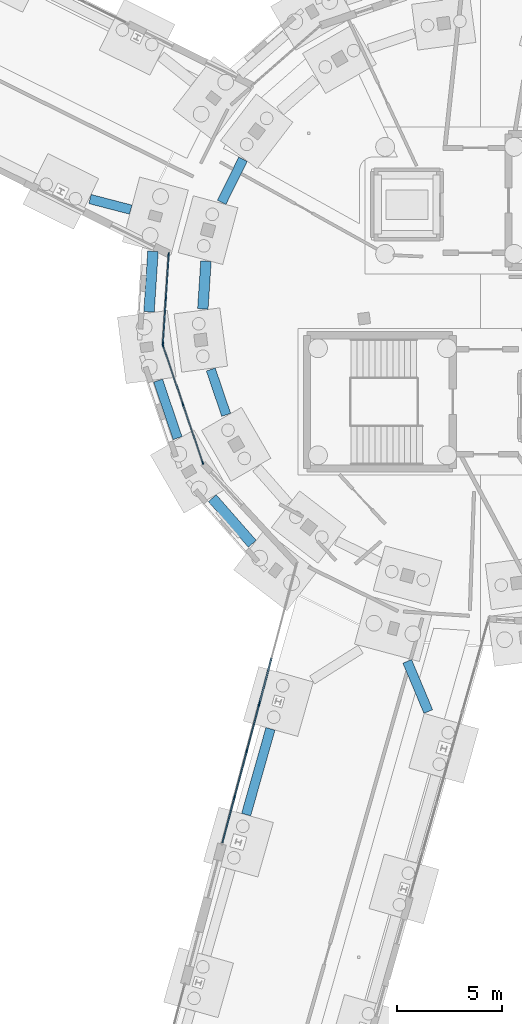
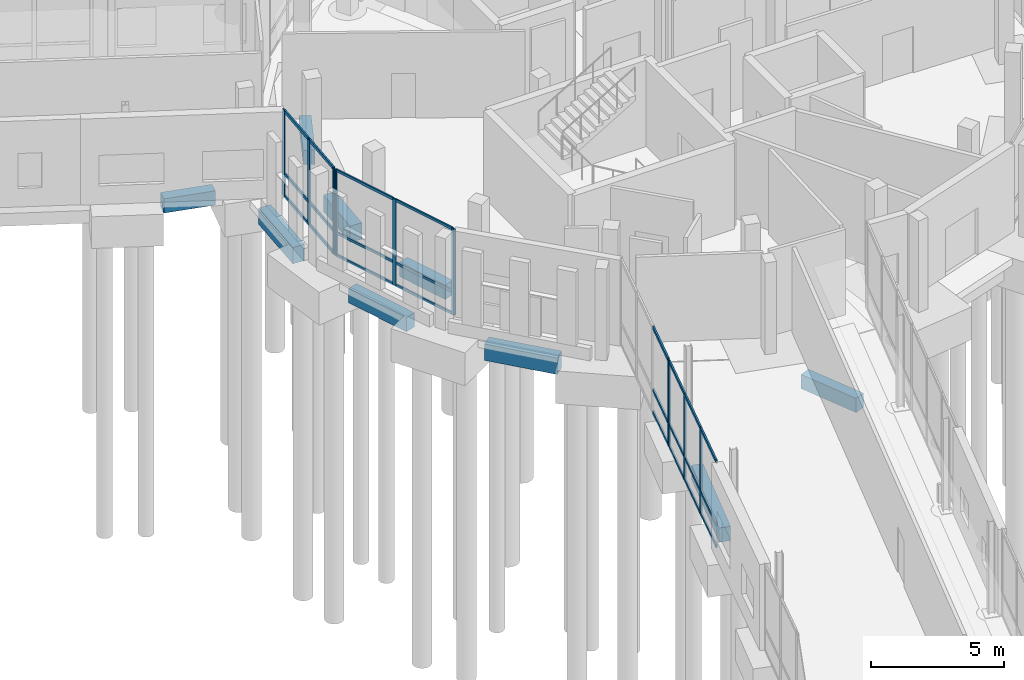
# One storey, part 57 of 113: 34 members, 9 beams, 4 elements without a shape of their own.
"""IFC4 building model written with IfcOpenShell, lengths in metres."""

from ifc_helpers import new_model, si_unit, direction, frame, origin, origin_2d, place, context, subcontext, project, spatial, rectangle, extrude, material, material_profile, profile_set, type_object, element, aggregate, save


model = new_model("IFC4")

# Units and contexts
model_context = context("Model", 3, precision=1e-05, world=origin(), true_north=direction((0.0, 1.0)))
body_context = subcontext(model_context, "Body", "Model", "MODEL_VIEW")
ifc_project = project(units=[si_unit("LENGTHUNIT", "METRE"), si_unit("AREAUNIT", "SQUARE_METRE"), si_unit("VOLUMEUNIT", "CUBIC_METRE"), si_unit("PLANEANGLEUNIT", "RADIAN"), si_unit("MASSUNIT", "GRAM", prefix="KILO")], contexts=[model_context])

# Site, building, storey
site_placement = place(None, origin())
site = spatial("IfcSite", under=ifc_project, at=site_placement, CompositionType="ELEMENT")
building_placement = place(site_placement, origin())
building = spatial("IfcBuilding", under=site, at=building_placement, Name="Wrenclough Park School", CompositionType="ELEMENT")
storey_placement = place(building_placement, origin())
storey = spatial("IfcBuildingStorey", under=building, at=storey_placement, Name="L00", CompositionType="ELEMENT", Elevation=0.0)

# Curtain wall, members
ifc_material_1 = material(Name="Thermally broken aluminium and low-e glass curtain wall", Category="aluminium")
curtain_wall_type_1 = type_object("IfcCurtainWallType", Name="ENV-CW-16", PredefinedType="USERDEFINED", material=ifc_material_1)
curtain_wall_1_placement = place(storey_placement, origin())
curtain_wall_1 = element("IfcCurtainWall", 1, at=curtain_wall_1_placement, inside=storey, type_object=curtain_wall_type_1, Name="L00 recessed curtain wall assembly 063", ObjectType="CURTAIN WALL", PredefinedType="USERDEFINED")
ifc_material_2 = material(Name="Thermally broken anodised aluminium", Category="aluminium")
ifc_material_profile_1 = material_profile(ifc_material_2, rectangle(XDim=0.06005859375, YDim=0.159912109375, at=origin_2d()), Name="AL MULLION 60x160")
ifc_profile_set_1 = profile_set([ifc_material_profile_1], Name="Thermally broken anodised aluminium")
member_type_1 = type_object("IfcMemberType", Name="ENV-CWM-1", PredefinedType="MULLION", material=ifc_profile_set_1)
member_1_placement = place(storey_placement, frame((161.258056640625, 85.893310546875, 0.0), z_axis=(0.0, 0.0, 1.0), x_axis=(-0.946933787668, -0.321428688473, 0.0)))
member_1 = element("IfcMember", 2, at=member_1_placement, type_object=member_type_1, Name="CW-16 mullion 1", PredefinedType="MULLION", context=body_context, shape_type="SweptSolid", body=[
    extrude(rectangle(XDim=0.06005859375, YDim=0.159912109375, at=origin_2d()), origin(), (0.0, 0.0, 1.0), 3.93994140625),
])
member_2_placement = place(storey_placement, frame((160.31103515625, 88.68359375, 0.0), z_axis=(0.0, 0.0, 1.0), x_axis=(-0.946933787668, -0.321428688473, 0.0)))
member_2 = element("IfcMember", 3, at=member_2_placement, type_object=member_type_1, Name="CW-16 mullion 2", PredefinedType="MULLION", context=body_context, shape_type="SweptSolid", body=[
    extrude(rectangle(XDim=0.06005859375, YDim=0.159912109375, at=origin_2d()), origin(), (0.0, 0.0, 1.0), 3.93994140625),
])
member_3_placement = place(storey_placement, frame((159.364013671875, 91.4736328125, 0.0), z_axis=(0.0, 0.0, 1.0), x_axis=(-0.946933787668, -0.321428688473, 0.0)))
member_3 = element("IfcMember", 4, at=member_3_placement, type_object=member_type_1, Name="CW-16 mullion 3", PredefinedType="MULLION", context=body_context, shape_type="SweptSolid", body=[
    extrude(rectangle(XDim=0.06005859375, YDim=0.159912109375, at=origin_2d()), origin(), (0.0, 0.0, 1.0), 3.93994140625),
])

curtain_wall_type_2 = type_object("IfcCurtainWallType", Name="ENV-CW-14", PredefinedType="USERDEFINED", material=ifc_material_1)
curtain_wall_2_placement = place(storey_placement, origin())
curtain_wall_2 = element("IfcCurtainWall", 5, at=curtain_wall_2_placement, inside=storey, type_object=curtain_wall_type_2, Name="L00 recessed curtain wall assembly 061", ObjectType="CURTAIN WALL", PredefinedType="USERDEFINED")
ifc_material_profile_2 = material_profile(ifc_material_2, rectangle(XDim=0.06494140625, YDim=0.179931640625, at=origin_2d()), Name="AL MULLION 65x180")
ifc_profile_set_2 = profile_set([ifc_material_profile_2], Name="Thermally broken anodised aluminium")
member_type_2 = type_object("IfcMemberType", Name="ENV-CWM-2", PredefinedType="MULLION", material=ifc_profile_set_2)
member_4_placement = place(storey_placement, frame((162.7685546875, 69.9462890625, 0.0), z_axis=(0.0, 0.0, 1.0), x_axis=(-0.966438093709, 0.256899612745, 0.0)))
member_4 = element("IfcMember", 6, at=member_4_placement, type_object=member_type_2, Name="CW-14 mullion 2", PredefinedType="MULLION", context=body_context, shape_type="SweptSolid", body=[
    extrude(rectangle(XDim=0.06494140625, YDim=0.179931640625, at=origin_2d()), origin(), (0.0, 0.0, 1.0), 3.93994140625),
])
member_5_placement = place(storey_placement, frame((163.35888671875, 72.1669921875, 0.0), z_axis=(0.0, 0.0, 1.0), x_axis=(-0.966438093709, 0.256899612745, 0.0)))
member_5 = element("IfcMember", 7, at=member_5_placement, type_object=member_type_2, Name="CW-14 mullion 3", PredefinedType="MULLION", context=body_context, shape_type="SweptSolid", body=[
    extrude(rectangle(XDim=0.06494140625, YDim=0.179931640625, at=origin_2d()), origin(), (0.0, 0.0, 1.0), 3.93994140625),
])
member_6_placement = place(storey_placement, frame((163.94091796875, 74.356201171875, 0.0), z_axis=(0.0, 0.0, 1.0), x_axis=(-0.966438093709, 0.256899612745, 0.0)))
member_6 = element("IfcMember", 8, at=member_6_placement, type_object=member_type_2, Name="CW-14 mullion 4", PredefinedType="MULLION", context=body_context, shape_type="SweptSolid", body=[
    extrude(rectangle(XDim=0.06494140625, YDim=0.179931640625, at=origin_2d()), origin(), (0.0, 0.0, 1.0), 3.93994140625),
])

curtain_wall_type_3 = type_object("IfcCurtainWallType", Name="ENV-CW-01", PredefinedType="USERDEFINED", material=ifc_material_1)
curtain_wall_3_placement = place(storey_placement, origin())
curtain_wall_3 = element("IfcCurtainWall", 9, at=curtain_wall_3_placement, inside=storey, type_object=curtain_wall_type_3, Name="L00 recessed curtain wall assembly 064", ObjectType="CURTAIN WALL", PredefinedType="USERDEFINED")
member_7_placement = place(storey_placement, frame((159.35546875, 91.542236328125, 0.0), z_axis=(0.0, 0.0, 1.0), x_axis=(-0.997860268625, 0.06538259936, 0.0)))
member_7 = element("IfcMember", 10, at=member_7_placement, type_object=member_type_2, Name="CW-01 mullion 1", PredefinedType="MULLION", context=body_context, shape_type="SweptSolid", body=[
    extrude(rectangle(XDim=0.06494140625, YDim=0.179931640625, at=origin_2d()), origin(), (0.0, 0.0, 1.0), 3.93994140625),
])
member_8_placement = place(storey_placement, frame((159.49560546875, 93.680908203125, 0.0), z_axis=(0.0, 0.0, 1.0), x_axis=(-0.997860268625, 0.06538259936, 0.0)))
member_8 = element("IfcMember", 11, at=member_8_placement, type_object=member_type_2, Name="CW-01 mullion 2", PredefinedType="MULLION", context=body_context, shape_type="SweptSolid", body=[
    extrude(rectangle(XDim=0.06494140625, YDim=0.179931640625, at=origin_2d()), origin(), (0.0, 0.0, 1.0), 3.93994140625),
])
member_9_placement = place(storey_placement, frame((159.6357421875, 95.819580078125, 0.0), z_axis=(0.0, 0.0, 1.0), x_axis=(-0.997860268625, 0.06538259936, 0.0)))
member_9 = element("IfcMember", 12, at=member_9_placement, type_object=member_type_2, Name="CW-01 mullion 3", PredefinedType="MULLION", context=body_context, shape_type="SweptSolid", body=[
    extrude(rectangle(XDim=0.06494140625, YDim=0.179931640625, at=origin_2d()), origin(), (0.0, 0.0, 1.0), 3.93994140625),
])

# Curtain wall, member
curtain_wall_type_4 = type_object("IfcCurtainWallType", Name="ENV-CW-15", PredefinedType="USERDEFINED", material=ifc_material_1)
curtain_wall_4_placement = place(storey_placement, origin())
curtain_wall_4 = element("IfcCurtainWall", 13, at=curtain_wall_4_placement, inside=storey, type_object=curtain_wall_type_4, Name="L00 recessed curtain wall assembly 062", ObjectType="CURTAIN WALL", PredefinedType="USERDEFINED")
ifc_material_profile_3 = material_profile(ifc_material_2, rectangle(XDim=0.070068359375, YDim=0.199951171875, at=origin_2d()), Name="AL MULLION 70x200")
ifc_profile_set_3 = profile_set([ifc_material_profile_3], Name="Thermally broken anodised aluminium")
member_type_3 = type_object("IfcMemberType", Name="ENV-CWM-3", PredefinedType="MULLION", material=ifc_profile_set_3)
member_10_placement = place(storey_placement, frame((163.960205078125, 74.42919921875, 0.0), z_axis=(0.0, 0.0, 1.0), x_axis=(-0.966439051093, 0.256896011105, 0.0)))
member_10 = element("IfcMember", 14, at=member_10_placement, type_object=member_type_3, Name="CW-15 mullion 1", PredefinedType="MULLION", context=body_context, shape_type="SweptSolid", body=[
    extrude(rectangle(XDim=0.070068359375, YDim=0.199951171875, at=origin_2d()), origin(), (0.0, 0.0, 1.0), 3.93994140625),
])

# Member
ifc_material_profile_4 = material_profile(ifc_material_2, rectangle(XDim=0.06005859375, YDim=0.1201171875, at=origin_2d()), Name="AL TRANSOM 60x120")
ifc_profile_set_4 = profile_set([ifc_material_profile_4], Name="Thermally broken anodised aluminium")
member_type_4 = type_object("IfcMemberType", Name="ENV-CWT-1", PredefinedType="USERDEFINED", material=ifc_profile_set_4)
member_11_placement = place(storey_placement, frame((161.24853515625, 85.921630859375, 0.030029296875), z_axis=(-0.321399278852, 0.946943770006, 0.0), x_axis=(-0.946943770006, -0.321399278852, 0.0)))
member_11 = element("IfcMember", 15, at=member_11_placement, type_object=member_type_4, Name="CW-16 transom 1.1", ObjectType="TRANSOM", PredefinedType="USERDEFINED", context=body_context, shape_type="SweptSolid", body=[
    extrude(rectangle(XDim=0.06005859375, YDim=0.1201171875, at=origin_2d()), origin(), (0.0, 0.0, 1.0), 2.886474609375),
])

member_12_placement = place(storey_placement, frame((161.24853515625, 85.921630859375, 1.050048828125), z_axis=(-0.321399278852, 0.946943770006, 0.0), x_axis=(-0.946943770006, -0.321399278852, 0.0)))
member_12 = element("IfcMember", 16, at=member_12_placement, type_object=member_type_4, Name="CW-16 transom 1.2", ObjectType="TRANSOM", PredefinedType="USERDEFINED", context=body_context, shape_type="SweptSolid", body=[
    extrude(rectangle(XDim=0.06005859375, YDim=0.1201171875, at=origin_2d()), origin(), (0.0, 0.0, 1.0), 2.886474609375),
])

member_13_placement = place(storey_placement, frame((161.24853515625, 85.921630859375, 3.909912109375), z_axis=(-0.321399278852, 0.946943770006, 0.0), x_axis=(-0.946943770006, -0.321399278852, 0.0)))
member_13 = element("IfcMember", 17, at=member_13_placement, type_object=member_type_4, Name="CW-16 transom 1.3", ObjectType="TRANSOM", PredefinedType="USERDEFINED", context=body_context, shape_type="SweptSolid", body=[
    extrude(rectangle(XDim=0.06005859375, YDim=0.1201171875, at=origin_2d()), origin(), (0.0, 0.0, 1.0), 2.886474609375),
])

member_14_placement = place(storey_placement, frame((160.301513671875, 88.7119140625, 0.030029296875), z_axis=(-0.321475117743, 0.946918026374, 0.0), x_axis=(-0.946918026374, -0.321475117743, 0.0)))
member_14 = element("IfcMember", 18, at=member_14_placement, type_object=member_type_4, Name="CW-16 transom 2.1", ObjectType="TRANSOM", PredefinedType="USERDEFINED", context=body_context, shape_type="SweptSolid", body=[
    extrude(rectangle(XDim=0.06005859375, YDim=0.1201171875, at=origin_2d()), origin(), (0.0, 0.0, 1.0), 2.88671875),
])

member_15_placement = place(storey_placement, frame((160.301513671875, 88.7119140625, 1.050048828125), z_axis=(-0.321475117743, 0.946918026374, 0.0), x_axis=(-0.946918026374, -0.321475117743, 0.0)))
member_15 = element("IfcMember", 19, at=member_15_placement, type_object=member_type_4, Name="CW-16 transom 2.2", ObjectType="TRANSOM", PredefinedType="USERDEFINED", context=body_context, shape_type="SweptSolid", body=[
    extrude(rectangle(XDim=0.06005859375, YDim=0.1201171875, at=origin_2d()), origin(), (0.0, 0.0, 1.0), 2.88671875),
])

member_16_placement = place(storey_placement, frame((160.301513671875, 88.7119140625, 3.909912109375), z_axis=(-0.321475117743, 0.946918026374, 0.0), x_axis=(-0.946918026374, -0.321475117743, 0.0)))
member_16 = element("IfcMember", 20, at=member_16_placement, type_object=member_type_4, Name="CW-16 transom 2.3", ObjectType="TRANSOM", PredefinedType="USERDEFINED", context=body_context, shape_type="SweptSolid", body=[
    extrude(rectangle(XDim=0.06005859375, YDim=0.1201171875, at=origin_2d()), origin(), (0.0, 0.0, 1.0), 2.88671875),
])

aggregate(curtain_wall_1, [member_1, member_2, member_3, member_11, member_12, member_13, member_14, member_15, member_16])

ifc_material_profile_5 = material_profile(ifc_material_2, rectangle(XDim=0.06494140625, YDim=0.139892578125, at=origin_2d()), Name="AL TRANSOM 65x140")
ifc_profile_set_5 = profile_set([ifc_material_profile_5], Name="Thermally broken anodised aluminium")
member_type_5 = type_object("IfcMemberType", Name="ENV-CWT-2", PredefinedType="USERDEFINED", material=ifc_profile_set_5)
member_17_placement = place(storey_placement, frame((162.195068359375, 67.788330078125, 0.032470703125), z_axis=(0.256868360243, 0.966446400741, 0.0), x_axis=(-0.966446400741, 0.256868360243, 0.0)))
member_17 = element("IfcMember", 21, at=member_17_placement, type_object=member_type_5, Name="CW-14 transom 1.1", ObjectType="TRANSOM", PredefinedType="USERDEFINED", context=body_context, shape_type="SweptSolid", body=[
    extrude(rectangle(XDim=0.06494140625, YDim=0.139892578125, at=origin_2d()), origin(), (0.0, 0.0, 1.0), 2.2001953125),
])

member_18_placement = place(storey_placement, frame((162.195068359375, 67.788330078125, 1.050048828125), z_axis=(0.256868360243, 0.966446400741, 0.0), x_axis=(-0.966446400741, 0.256868360243, 0.0)))
member_18 = element("IfcMember", 22, at=member_18_placement, type_object=member_type_5, Name="CW-14 transom 1.2", ObjectType="TRANSOM", PredefinedType="USERDEFINED", context=body_context, shape_type="SweptSolid", body=[
    extrude(rectangle(XDim=0.06494140625, YDim=0.139892578125, at=origin_2d()), origin(), (0.0, 0.0, 1.0), 2.2001953125),
])

member_19_placement = place(storey_placement, frame((162.195068359375, 67.788330078125, 3.907470703125), z_axis=(0.256868360243, 0.966446400741, 0.0), x_axis=(-0.966446400741, 0.256868360243, 0.0)))
member_19 = element("IfcMember", 23, at=member_19_placement, type_object=member_type_5, Name="CW-14 transom 1.3", ObjectType="TRANSOM", PredefinedType="USERDEFINED", context=body_context, shape_type="SweptSolid", body=[
    extrude(rectangle(XDim=0.06494140625, YDim=0.139892578125, at=origin_2d()), origin(), (0.0, 0.0, 1.0), 2.2001953125),
])

member_20_placement = place(storey_placement, frame((162.77685546875, 69.977783203125, 0.032470703125), z_axis=(0.256968381493, 0.966419810907, 0.0), x_axis=(-0.966419810907, 0.256968381493, 0.0)))
member_20 = element("IfcMember", 24, at=member_20_placement, type_object=member_type_5, Name="CW-14 transom 2.1", ObjectType="TRANSOM", PredefinedType="USERDEFINED", context=body_context, shape_type="SweptSolid", body=[
    extrude(rectangle(XDim=0.06494140625, YDim=0.139892578125, at=origin_2d()), origin(), (0.0, 0.0, 1.0), 2.232666015625),
])

member_21_placement = place(storey_placement, frame((162.77685546875, 69.977783203125, 1.050048828125), z_axis=(0.256968381493, 0.966419810907, 0.0), x_axis=(-0.966419810907, 0.256968381493, 0.0)))
member_21 = element("IfcMember", 25, at=member_21_placement, type_object=member_type_5, Name="CW-14 transom 2.2", ObjectType="TRANSOM", PredefinedType="USERDEFINED", context=body_context, shape_type="SweptSolid", body=[
    extrude(rectangle(XDim=0.06494140625, YDim=0.139892578125, at=origin_2d()), origin(), (0.0, 0.0, 1.0), 2.232666015625),
])

member_22_placement = place(storey_placement, frame((162.77685546875, 69.977783203125, 3.907470703125), z_axis=(0.256968381493, 0.966419810907, 0.0), x_axis=(-0.966419810907, 0.256968381493, 0.0)))
member_22 = element("IfcMember", 26, at=member_22_placement, type_object=member_type_5, Name="CW-14 transom 2.3", ObjectType="TRANSOM", PredefinedType="USERDEFINED", context=body_context, shape_type="SweptSolid", body=[
    extrude(rectangle(XDim=0.06494140625, YDim=0.139892578125, at=origin_2d()), origin(), (0.0, 0.0, 1.0), 2.232666015625),
])

member_23_placement = place(storey_placement, frame((163.3671875, 72.1982421875, 0.032470703125), z_axis=(0.256971992891, 0.966418850639, 0.0), x_axis=(-0.966418850639, 0.256971992891, 0.0)))
member_23 = element("IfcMember", 27, at=member_23_placement, type_object=member_type_5, Name="CW-14 transom 3.1", ObjectType="TRANSOM", PredefinedType="USERDEFINED", context=body_context, shape_type="SweptSolid", body=[
    extrude(rectangle(XDim=0.06494140625, YDim=0.139892578125, at=origin_2d()), origin(), (0.0, 0.0, 1.0), 2.200439453125),
])

member_24_placement = place(storey_placement, frame((163.3671875, 72.1982421875, 1.050048828125), z_axis=(0.256971992891, 0.966418850639, 0.0), x_axis=(-0.966418850639, 0.256971992891, 0.0)))
member_24 = element("IfcMember", 28, at=member_24_placement, type_object=member_type_5, Name="CW-14 transom 3.2", ObjectType="TRANSOM", PredefinedType="USERDEFINED", context=body_context, shape_type="SweptSolid", body=[
    extrude(rectangle(XDim=0.06494140625, YDim=0.139892578125, at=origin_2d()), origin(), (0.0, 0.0, 1.0), 2.200439453125),
])

member_25_placement = place(storey_placement, frame((163.3671875, 72.1982421875, 3.907470703125), z_axis=(0.256971992891, 0.966418850639, 0.0), x_axis=(-0.966418850639, 0.256971992891, 0.0)))
member_25 = element("IfcMember", 29, at=member_25_placement, type_object=member_type_5, Name="CW-14 transom 3.3", ObjectType="TRANSOM", PredefinedType="USERDEFINED", context=body_context, shape_type="SweptSolid", body=[
    extrude(rectangle(XDim=0.06494140625, YDim=0.139892578125, at=origin_2d()), origin(), (0.0, 0.0, 1.0), 2.200439453125),
])

aggregate(curtain_wall_2, [member_4, member_5, member_6, member_17, member_18, member_19, member_20, member_21, member_22, member_23, member_24, member_25])

member_26_placement = place(storey_placement, frame((159.357666015625, 91.57470703125, 0.032470703125), z_axis=(0.065318183999, 0.997864487212, 0.0), x_axis=(-0.997864487212, 0.065318183999, 0.0)))
member_26 = element("IfcMember", 30, at=member_26_placement, type_object=member_type_5, Name="CW-01 transom 1.1", ObjectType="TRANSOM", PredefinedType="USERDEFINED", context=body_context, shape_type="SweptSolid", body=[
    extrude(rectangle(XDim=0.06494140625, YDim=0.139892578125, at=origin_2d()), origin(), (0.0, 0.0, 1.0), 2.078125),
])

member_27_placement = place(storey_placement, frame((159.357666015625, 91.57470703125, 1.050048828125), z_axis=(0.065318183999, 0.997864487212, 0.0), x_axis=(-0.997864487212, 0.065318183999, 0.0)))
member_27 = element("IfcMember", 31, at=member_27_placement, type_object=member_type_5, Name="CW-01 transom 1.2", ObjectType="TRANSOM", PredefinedType="USERDEFINED", context=body_context, shape_type="SweptSolid", body=[
    extrude(rectangle(XDim=0.06494140625, YDim=0.139892578125, at=origin_2d()), origin(), (0.0, 0.0, 1.0), 2.078125),
])

member_28_placement = place(storey_placement, frame((159.357666015625, 91.57470703125, 3.907470703125), z_axis=(0.065318183999, 0.997864487212, 0.0), x_axis=(-0.997864487212, 0.065318183999, 0.0)))
member_28 = element("IfcMember", 32, at=member_28_placement, type_object=member_type_5, Name="CW-01 transom 1.3", ObjectType="TRANSOM", PredefinedType="USERDEFINED", context=body_context, shape_type="SweptSolid", body=[
    extrude(rectangle(XDim=0.06494140625, YDim=0.139892578125, at=origin_2d()), origin(), (0.0, 0.0, 1.0), 2.078125),
])

member_29_placement = place(storey_placement, frame((159.49755859375, 93.71337890625, 0.032470703125), z_axis=(0.065435160181, 0.997856823303, 0.0), x_axis=(-0.997856823303, 0.065435160181, 0.0)))
member_29 = element("IfcMember", 33, at=member_29_placement, type_object=member_type_5, Name="CW-01 transom 2.1", ObjectType="TRANSOM", PredefinedType="USERDEFINED", context=body_context, shape_type="SweptSolid", body=[
    extrude(rectangle(XDim=0.06494140625, YDim=0.139892578125, at=origin_2d()), origin(), (0.0, 0.0, 1.0), 2.078125),
])

member_30_placement = place(storey_placement, frame((159.49755859375, 93.71337890625, 1.050048828125), z_axis=(0.065435160181, 0.997856823303, 0.0), x_axis=(-0.997856823303, 0.065435160181, 0.0)))
member_30 = element("IfcMember", 34, at=member_30_placement, type_object=member_type_5, Name="CW-01 transom 2.2", ObjectType="TRANSOM", PredefinedType="USERDEFINED", context=body_context, shape_type="SweptSolid", body=[
    extrude(rectangle(XDim=0.06494140625, YDim=0.139892578125, at=origin_2d()), origin(), (0.0, 0.0, 1.0), 2.078125),
])

member_31_placement = place(storey_placement, frame((159.49755859375, 93.71337890625, 3.907470703125), z_axis=(0.065435160181, 0.997856823303, 0.0), x_axis=(-0.997856823303, 0.065435160181, 0.0)))
member_31 = element("IfcMember", 35, at=member_31_placement, type_object=member_type_5, Name="CW-01 transom 2.3", ObjectType="TRANSOM", PredefinedType="USERDEFINED", context=body_context, shape_type="SweptSolid", body=[
    extrude(rectangle(XDim=0.06494140625, YDim=0.139892578125, at=origin_2d()), origin(), (0.0, 0.0, 1.0), 2.078125),
])

aggregate(curtain_wall_3, [member_7, member_8, member_9, member_26, member_27, member_28, member_29, member_30, member_31])

ifc_material_profile_6 = material_profile(ifc_material_2, rectangle(XDim=0.070068359375, YDim=0.14990234375, at=origin_2d()), Name="AL TRANSOM 70x150")
ifc_profile_set_6 = profile_set([ifc_material_profile_6], Name="Thermally broken anodised aluminium")
member_type_6 = type_object("IfcMemberType", Name="ENV-CWT-3", PredefinedType="USERDEFINED", material=ifc_profile_set_6)
member_32_placement = place(storey_placement, frame((163.96923828125, 74.463134765625, 0.034912109375), z_axis=(0.256865614096, 0.966447130626, 0.0), x_axis=(-0.966447130626, 0.256865614096, 0.0)))
member_32 = element("IfcMember", 36, at=member_32_placement, type_object=member_type_6, Name="CW-15 transom 1.1", ObjectType="TRANSOM", PredefinedType="USERDEFINED", context=body_context, shape_type="SweptSolid", body=[
    extrude(rectangle(XDim=0.070068359375, YDim=0.14990234375, at=origin_2d()), origin(), (0.0, 0.0, 1.0), 2.192626953125),
])

member_33_placement = place(storey_placement, frame((163.96923828125, 74.463134765625, 1.050048828125), z_axis=(0.256865614096, 0.966447130626, 0.0), x_axis=(-0.966447130626, 0.256865614096, 0.0)))
member_33 = element("IfcMember", 37, at=member_33_placement, type_object=member_type_6, Name="CW-15 transom 1.2", ObjectType="TRANSOM", PredefinedType="USERDEFINED", context=body_context, shape_type="SweptSolid", body=[
    extrude(rectangle(XDim=0.070068359375, YDim=0.14990234375, at=origin_2d()), origin(), (0.0, 0.0, 1.0), 2.192626953125),
])

member_34_placement = place(storey_placement, frame((163.96923828125, 74.463134765625, 3.905029296875), z_axis=(0.256865614096, 0.966447130626, 0.0), x_axis=(-0.966447130626, 0.256865614096, 0.0)))
member_34 = element("IfcMember", 38, at=member_34_placement, type_object=member_type_6, Name="CW-15 transom 1.3", ObjectType="TRANSOM", PredefinedType="USERDEFINED", context=body_context, shape_type="SweptSolid", body=[
    extrude(rectangle(XDim=0.070068359375, YDim=0.14990234375, at=origin_2d()), origin(), (0.0, 0.0, 1.0), 2.192626953125),
])

aggregate(curtain_wall_4, [member_10, member_32, member_33, member_34])

# Beams
ifc_material_3 = material(Name="Concrete C35/45", Category="concrete")
ifc_material_profile_7 = material_profile(ifc_material_3, rectangle(XDim=0.449951171875, YDim=0.64990234375, at=origin_2d()), Name="RC GROUND 450x650")
ifc_profile_set_7 = profile_set([ifc_material_profile_7], Name="Concrete C35/45")
beam_type_1 = type_object("IfcBeamType", Name="STR-BM-GTB1", PredefinedType="USERDEFINED", material=ifc_profile_set_7)
beam_1_placement = place(storey_placement, frame((157.827880859375, 97.9580078125, -0.625), z_axis=(-0.967775748684, 0.251813622069, 0.0), x_axis=(-0.251813622069, -0.967775748684, 0.0)))
element("IfcBeam", 39, at=beam_1_placement, inside=storey, type_object=beam_type_1, Name="Reinforced concrete ground tie beam 095", ObjectType="GROUND TIE BEAM", PredefinedType="USERDEFINED", context=body_context, shape_type="SweptSolid", body=[
    extrude(rectangle(XDim=0.449951171875, YDim=0.64990234375, at=origin_2d()), origin(), (0.0, 0.0, 1.0), 2.009765625),
])
beam_2_placement = place(storey_placement, frame((159.12841796875, 89.810791015625, -0.64990234375), z_axis=(0.321434072315, -0.946931960151, 0.0), x_axis=(0.946931960151, 0.321434072315, 0.0)))
element("IfcBeam", 40, at=beam_2_placement, inside=storey, type_object=beam_type_1, Name="Reinforced concrete ground tie beam 097", ObjectType="GROUND TIE BEAM", PredefinedType="USERDEFINED", context=body_context, shape_type="SweptSolid", body=[
    extrude(rectangle(XDim=0.449951171875, YDim=0.64990234375, at=origin_2d()), origin(), (0.0, 0.0, 1.0), 2.895263671875),
])
beam_3_placement = place(storey_placement, frame((171.00390625, 76.42919921875, -0.625), z_axis=(0.386941088146, -0.922104437851, 0.0), x_axis=(0.922104437851, 0.386941088146, 0.0)))
element("IfcBeam", 41, at=beam_3_placement, inside=storey, type_object=beam_type_1, Name="Reinforced concrete ground tie beam 099", ObjectType="GROUND TIE BEAM", PredefinedType="USERDEFINED", context=body_context, shape_type="SweptSolid", body=[
    extrude(rectangle(XDim=0.449951171875, YDim=0.64990234375, at=origin_2d()), origin(), (0.0, 0.0, 1.0), 2.592529296875),
])
for number, where, z_axis, x_axis, name in (
    (42, (163.175048828125, 100.36083984375, -0.64990234375), (-0.442343022876, -0.896845945585, 0.0), (0.896845945585, -0.442343022876, 0.0), "Reinforced concrete ground tie beam 109"),
    (43, (161.640625, 90.34326171875, -0.64990234375), (0.321503027153, -0.946908550775, 0.0), (0.946908550775, 0.321503027153, 0.0), "Reinforced concrete ground tie beam 111"),
):
    element("IfcBeam", number, at=place(storey_placement, frame(where, z_axis=z_axis, x_axis=x_axis)), inside=storey, type_object=beam_type_1, Name=name, ObjectType="GROUND TIE BEAM", PredefinedType="USERDEFINED", context=body_context, shape_type="SweptSolid", body=[
        extrude(rectangle(XDim=0.449951171875, YDim=0.64990234375, at=origin_2d()), origin(), (0.0, 0.0, 1.0), 2.288818359375),
    ])
beam_4_placement = place(storey_placement, frame((163.325927734375, 69.125, -0.625), z_axis=(0.272853473503, 0.962055602342, 0.0), x_axis=(-0.962055602342, 0.272853473503, 0.0)))
element("IfcBeam", 44, at=beam_4_placement, inside=storey, type_object=beam_type_1, Name="Reinforced concrete ground tie beam 151", ObjectType="GROUND TIE BEAM", PredefinedType="USERDEFINED", context=body_context, shape_type="SweptSolid", body=[
    extrude(rectangle(XDim=0.449951171875, YDim=0.64990234375, at=origin_2d()), origin(), (0.0, 0.0, 1.0), 4.248291015625),
])
ifc_material_profile_8 = material_profile(ifc_material_3, rectangle(XDim=0.5, YDim=0.75, at=origin_2d()), Name="RC GROUND 500x750")
ifc_profile_set_8 = profile_set([ifc_material_profile_8], Name="Concrete C35/45")
beam_type_2 = type_object("IfcBeamType", Name="STR-BM-GTB2", PredefinedType="USERDEFINED", material=ifc_profile_set_8)
beam_5_placement = place(storey_placement, frame((158.886474609375, 95.97021484375, -0.699951171875), z_axis=(-0.065362849572, -0.99786156249, 0.0), x_axis=(0.99786156249, -0.065362849572, 0.0)))
element("IfcBeam", 45, at=beam_5_placement, inside=storey, type_object=beam_type_2, Name="Reinforced concrete ground tie beam 096", ObjectType="GROUND TIE BEAM", PredefinedType="USERDEFINED", context=body_context, shape_type="SweptSolid", body=[
    extrude(rectangle(XDim=0.5, YDim=0.75, at=origin_2d()), origin(), (0.0, 0.0, 1.0), 2.88720703125),
])
beam_6_placement = place(storey_placement, frame((161.712890625, 84.206298828125, -0.699951171875), z_axis=(0.659342244413, -0.751842938872, 0.0), x_axis=(0.751842938872, 0.659342244413, 0.0)))
element("IfcBeam", 46, at=beam_6_placement, inside=storey, type_object=beam_type_2, Name="Reinforced concrete ground tie beam 098", ObjectType="GROUND TIE BEAM", PredefinedType="USERDEFINED", context=body_context, shape_type="SweptSolid", body=[
    extrude(rectangle(XDim=0.5, YDim=0.75, at=origin_2d()), origin(), (0.0, 0.0, 1.0), 2.887451171875),
])
beam_7_placement = place(storey_placement, frame((161.411376953125, 95.500732421875, -0.699951171875), z_axis=(-0.06540353848, -0.997858896415, 0.0), x_axis=(0.997858896415, -0.06540353848, 0.0)))
element("IfcBeam", 47, at=beam_7_placement, inside=storey, type_object=beam_type_2, Name="Reinforced concrete ground tie beam 110", ObjectType="GROUND TIE BEAM", PredefinedType="USERDEFINED", context=body_context, shape_type="SweptSolid", body=[
    extrude(rectangle(XDim=0.5, YDim=0.75, at=origin_2d()), origin(), (0.0, 0.0, 1.0), 2.28076171875),
])

save(model, "model.ifc")
